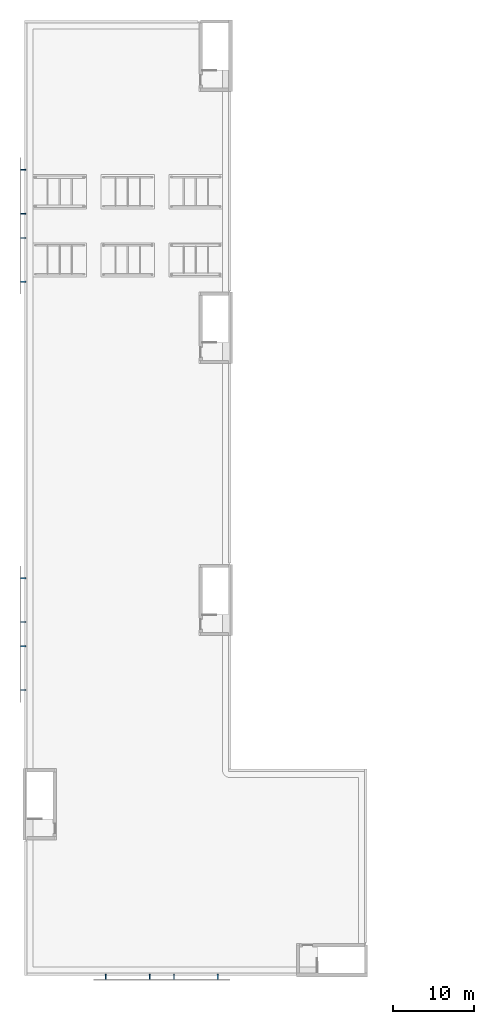
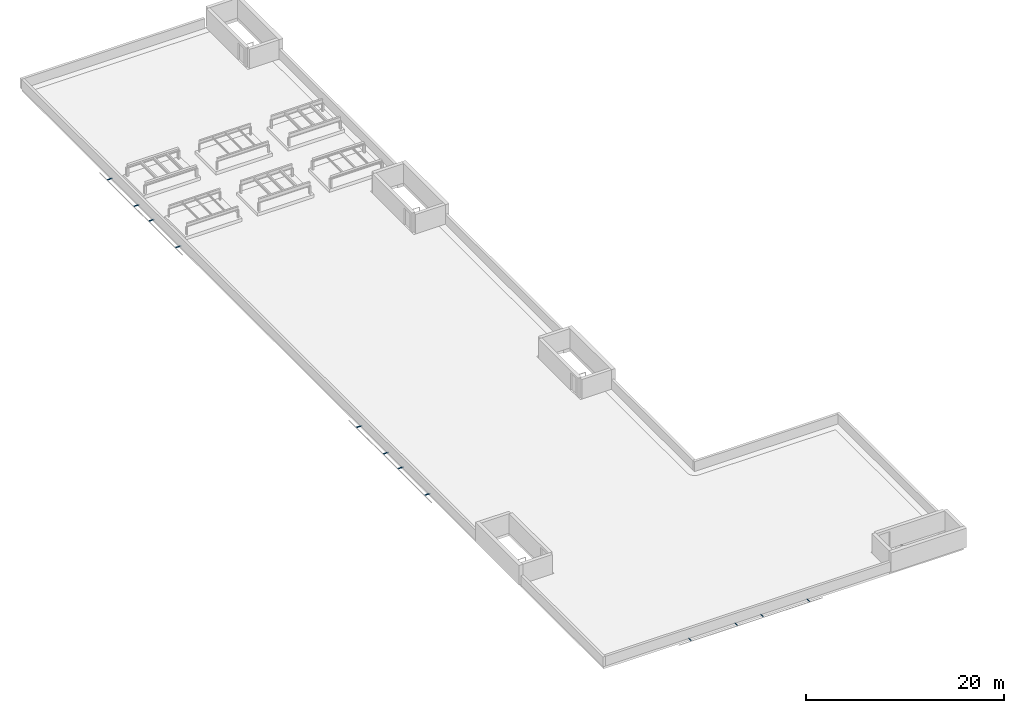
# One storey, part 15 of 18: 12 discrete accessories.
"""IFC4 building model written with IfcOpenShell, lengths in metres."""

from ifc_helpers import new_model, si_unit, direction, frame, origin, origin_2d, place, context, subcontext, project, spatial, hollow_rectangle, extrude, material, material_profile, profile_set, type_object, element, save


model = new_model("IFC4")

# Units and contexts
model_context = context("Model", 3, precision=1e-05, world=origin(), true_north=direction((0.0, 1.0)))
body_context = subcontext(model_context, "Body", "Model", "MODEL_VIEW")
ifc_project = project(units=[si_unit("LENGTHUNIT", "METRE"), si_unit("AREAUNIT", "SQUARE_METRE"), si_unit("VOLUMEUNIT", "CUBIC_METRE"), si_unit("PLANEANGLEUNIT", "RADIAN"), si_unit("MASSUNIT", "GRAM", prefix="KILO")], contexts=[model_context])

# Site, building, storey
site_placement = place(None, origin())
site = spatial("IfcSite", under=ifc_project, at=site_placement, CompositionType="ELEMENT")
building_placement = place(site_placement, origin())
building = spatial("IfcBuilding", under=site, at=building_placement, Name="Yavir Park General Hospital", CompositionType="ELEMENT")
storey_placement = place(building_placement, frame((0.0, 0.0, 29.699951171875)))
storey = spatial("IfcBuildingStorey", under=building, at=storey_placement, Name="RF", CompositionType="ELEMENT", Elevation=29.699951171875)

# Discrete accessories
ifc_material = material(Name="Steel S355", Category="steel")
ifc_material_profile = material_profile(ifc_material, hollow_rectangle(XDim=0.10009765625, YDim=0.06005859375, WallThickness=0.006103515625, InnerFilletRadius=0.006103515625, OuterFilletRadius=0.011962890625, at=origin_2d()), Name="RHS60x100x6")
ifc_profile_set = profile_set([ifc_material_profile], Name="Steel S355")
discrete_accessory_type = type_object("IfcDiscreteAccessoryType", Name="Screen bracket RHS 60 x 100", PredefinedType="BRACKET", material=ifc_profile_set)
for number, where, z_axis, x_axis, name in (
    (1, (9.89990234375, 0.0, -0.030029296875), (0.0, -1.0, 0.0), (1.0, 0.0, 0.0), "Screen bracket S2.5.1"),
    (2, (15.300048828125, 0.0, -0.030029296875), (0.0, -1.0, 0.0), (1.0, 0.0, 0.0), "Screen bracket S2.5.2"),
    (3, (18.300048828125, 0.0, -0.030029296875), (0.0, -1.0, 0.0), (1.0, 0.0, 0.0), "Screen bracket S3.5.1"),
    (4, (23.699951171875, 0.0, -0.030029296875), (0.0, -1.0, 0.0), (1.0, 0.0, 0.0), "Screen bracket S3.5.2"),
    (5, (0.0, 35.10009765625, -0.030029296875), (-1.0, 0.0, 0.0), (0.0, -1.0, 0.0), "Screen bracket W5.5.1"),
    (6, (0.0, 40.5, -0.030029296875), (-1.0, 0.0, 0.0), (0.0, -1.0, 0.0), "Screen bracket W5.5.2"),
    (7, (0.0, 43.5, -0.030029296875), (-1.0, 0.0, 0.0), (0.0, -1.0, 0.0), "Screen bracket W6.5.1"),
    (8, (0.0, 48.89990234375, -0.030029296875), (-1.0, 0.0, 0.0), (0.0, -1.0, 0.0), "Screen bracket W6.5.2"),
    (9, (0.0, 85.5, -0.030029296875), (-1.0, 0.0, 0.0), (0.0, -1.0, 0.0), "Screen bracket W11.5.1"),
    (10, (0.0, 90.89990234375, -0.030029296875), (-1.0, 0.0, 0.0), (0.0, -1.0, 0.0), "Screen bracket W11.5.2"),
    (11, (0.0, 93.89990234375, -0.030029296875), (-1.0, 0.0, 0.0), (0.0, -1.0, 0.0), "Screen bracket W12.5.1"),
    (12, (0.0, 99.300048828125, -0.030029296875), (-1.0, 0.0, 0.0), (0.0, -1.0, 0.0), "Screen bracket W12.5.2"),
):
    element("IfcDiscreteAccessory", number, at=place(storey_placement, frame(where, z_axis=z_axis, x_axis=x_axis)), inside=storey, type_object=discrete_accessory_type, Name=name, PredefinedType="BRACKET", context=body_context, shape_type="SweptSolid", body=[
        extrude(hollow_rectangle(XDim=0.10009765625, YDim=0.06005859375, WallThickness=0.006103515625, InnerFilletRadius=0.006103515625, OuterFilletRadius=0.011962890625, at=origin_2d()), origin(), (0.0, 0.0, 1.0), 0.60009765625),
    ])

save(model, "model.ifc")
